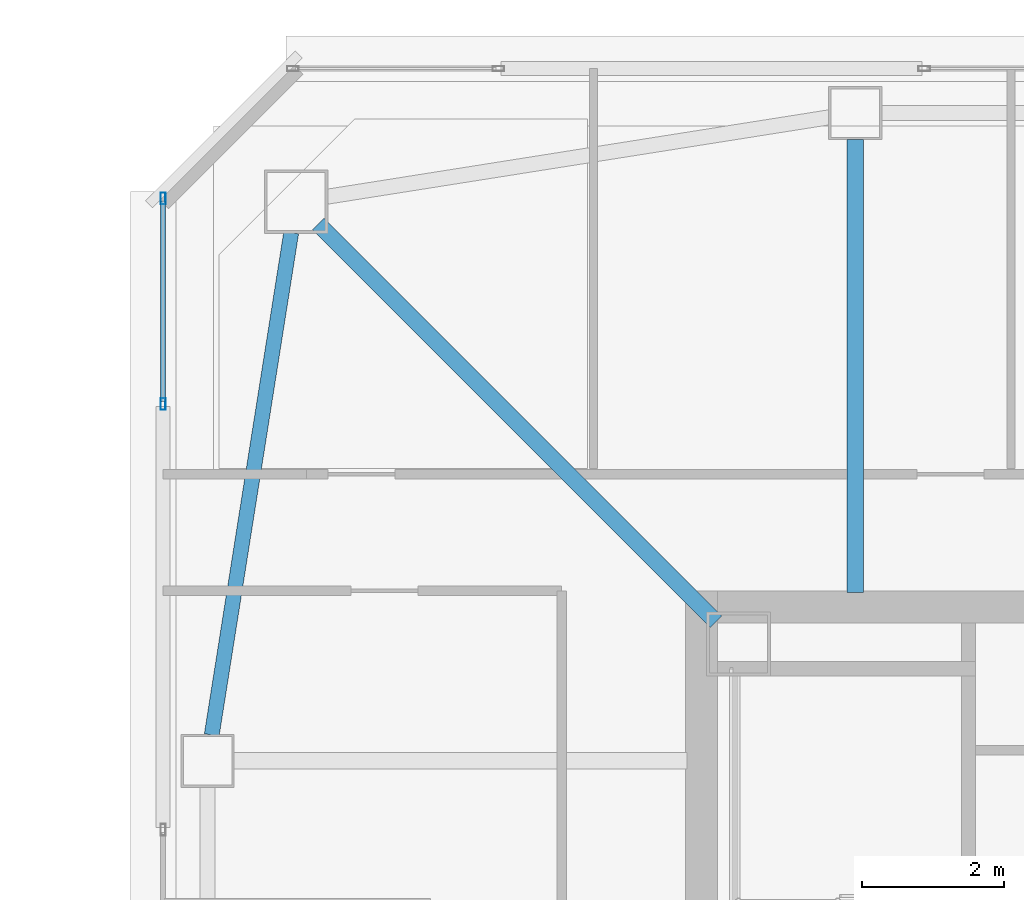
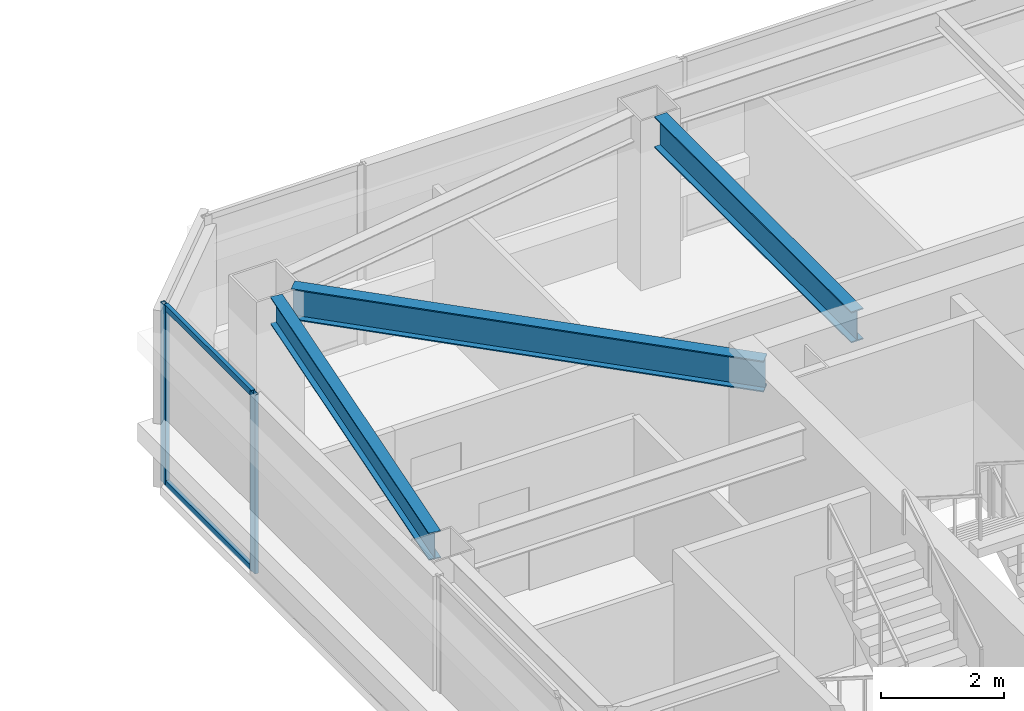
# One storey, part 4 of 31: 4 members, 3 beams, 1 element without a shape of its own.
"""IFC4 building model written with IfcOpenShell, lengths in metres."""

from ifc_helpers import new_model, si_unit, direction, frame, origin, origin_2d, place, context, subcontext, project, spatial, hollow_rectangle, i_section, extrude, material, material_profile, profile_set, type_object, element, aggregate, save


model = new_model("IFC4")

# Units and contexts
model_context = context("Model", 3, precision=1e-05, world=origin(), true_north=direction((0.0, 1.0)))
body_context = subcontext(model_context, "Body", "Model", "MODEL_VIEW")
ifc_project = project(units=[si_unit("LENGTHUNIT", "METRE"), si_unit("AREAUNIT", "SQUARE_METRE"), si_unit("VOLUMEUNIT", "CUBIC_METRE"), si_unit("PLANEANGLEUNIT", "RADIAN"), si_unit("MASSUNIT", "GRAM", prefix="KILO")], contexts=[model_context])

# Site, building, storey
site_placement = place(None, origin())
site = spatial("IfcSite", under=ifc_project, at=site_placement, CompositionType="ELEMENT")
building_placement = place(site_placement, origin())
building = spatial("IfcBuilding", under=site, at=building_placement, Name="Tashvorn Skyway Center", CompositionType="ELEMENT")
storey_placement = place(building_placement, frame((0.0, 0.0, 266.949951171875)))
storey = spatial("IfcBuildingStorey", under=building, at=storey_placement, Name="L72", CompositionType="ELEMENT", Elevation=266.949951171875)

# Beams
ifc_material_1 = material(Name="Steel ASTM A992 Grade 50", Category="steel")
ifc_material_profile_1 = material_profile(ifc_material_1, i_section(OverallWidth=0.22998046875, OverallDepth=0.616943359375, WebThickness=0.01318359375, FlangeThickness=0.022216796875, at=origin_2d()), Name="W24X94")
ifc_profile_set_1 = profile_set([ifc_material_profile_1], Name="Steel ASTM A992 Grade 50")
beam_type_1 = type_object("IfcBeamType", Name="BM-BEAM-W24X94", PredefinedType="BEAM", material=ifc_profile_set_1)
beam_1_placement = place(storey_placement, frame((29.0146484375, 44.9853515625, 3.0615234375), z_axis=(0.707106781187, -0.707106781187, 0.0), x_axis=(0.707106781187, 0.707106781187, 0.0)))
element("IfcBeam", 1, at=beam_1_placement, inside=storey, type_object=beam_type_1, Name="Tower 1 L72 Primary Floor Girder MC-NW", PredefinedType="BEAM", context=body_context, shape_type="SweptSolid", body=[
    extrude(i_section(OverallWidth=0.22998046875, OverallDepth=0.616943359375, WebThickness=0.01318359375, FlangeThickness=0.022216796875, at=origin_2d()), origin(), (0.0, 0.0, 1.0), 7.94873046875),
])
beam_2_placement = place(storey_placement, frame((36.60009765625, 46.179931640625, 3.0615234375), z_axis=(0.0, -1.0, 0.0), x_axis=(1.0, 0.0, 0.0)))
element("IfcBeam", 2, at=beam_2_placement, inside=storey, type_object=beam_type_1, Name="Tower 1 L72 Primary Floor Girder FC-N2", PredefinedType="BEAM", context=body_context, shape_type="SweptSolid", body=[
    extrude(i_section(OverallWidth=0.22998046875, OverallDepth=0.616943359375, WebThickness=0.01318359375, FlangeThickness=0.022216796875, at=origin_2d()), origin(), (0.0, 0.0, 1.0), 6.39990234375),
])
ifc_material_profile_2 = material_profile(ifc_material_1, i_section(OverallWidth=0.2109375, OverallDepth=0.5390625, WebThickness=0.01171875, FlangeThickness=0.018798828125, at=origin_2d()), Name="W21X73")
ifc_profile_set_2 = profile_set([ifc_material_profile_2], Name="Steel ASTM A992 Grade 50")
beam_type_2 = type_object("IfcBeamType", Name="BM-SPANDREL-W21X73", PredefinedType="SPANDREL", material=ifc_profile_set_2)
beam_3_placement = place(storey_placement, frame((28.63037109375, 44.8603515625, 3.1005859375), z_axis=(-0.156274976, -0.987713587978, 0.0), x_axis=(0.987713587978, -0.156274976, 0.0)))
element("IfcBeam", 3, at=beam_3_placement, inside=storey, type_object=beam_type_2, Name="Tower 1 L72 Spandrel Beam 10", PredefinedType="SPANDREL", context=body_context, shape_type="SweptSolid", body=[
    extrude(i_section(OverallWidth=0.2109375, OverallDepth=0.5390625, WebThickness=0.01171875, FlangeThickness=0.018798828125, at=origin_2d()), origin(), (0.0, 0.0, 1.0), 7.18310546875),
])

# Curtain wall, members
ifc_material_2 = material(Name="Thermally broken bronze-anodized aluminium 6063-T6", Category="aluminium")
curtain_wall_type = type_object("IfcCurtainWallType", Name="CW-CW-Z5", PredefinedType="NOTDEFINED", material=ifc_material_2)
curtain_wall_placement = place(storey_placement, origin())
curtain_wall = element("IfcCurtainWall", 4, at=curtain_wall_placement, inside=storey, type_object=curtain_wall_type, Name="Tower 1 L72 West Unitised Curtain Wall Glazing Group 3", PredefinedType="NOTDEFINED")
ifc_material_profile_3 = material_profile(ifc_material_2, hollow_rectangle(XDim=0.070068359375, YDim=0.1650390625, WallThickness=0.00390625, at=origin_2d()), Name="ALU-MULL-70x165")
ifc_profile_set_3 = profile_set([ifc_material_profile_3], Name="Thermally broken bronze-anodized aluminium 6063-T6")
member_type_1 = type_object("IfcMemberType", Name="CWM-CW-Z5", PredefinedType="MULLION", material=ifc_profile_set_3)
member_1_placement = place(storey_placement, frame((26.820068359375, 42.441650390625, 0.0), z_axis=(0.0, 0.0, 1.0), x_axis=(-1.0, 0.0, 0.0)))
member_1 = element("IfcMember", 5, at=member_1_placement, type_object=member_type_1, Name="CW-Z5 mullion 1", PredefinedType="MULLION", context=body_context, shape_type="SweptSolid", body=[
    extrude(hollow_rectangle(XDim=0.070068359375, YDim=0.1650390625, WallThickness=0.00390625, at=origin_2d()), origin(), (0.0, 0.0, 1.0), 3.550048828125),
])
member_2_placement = place(storey_placement, frame((26.820068359375, 45.344970703125, 0.0), z_axis=(0.0, 0.0, 1.0), x_axis=(-1.0, 0.0, 0.0)))
member_2 = element("IfcMember", 6, at=member_2_placement, type_object=member_type_1, Name="CW-Z5 mullion 2", PredefinedType="MULLION", context=body_context, shape_type="SweptSolid", body=[
    extrude(hollow_rectangle(XDim=0.070068359375, YDim=0.1650390625, WallThickness=0.00390625, at=origin_2d()), origin(), (0.0, 0.0, 1.0), 3.550048828125),
])
ifc_material_profile_4 = material_profile(ifc_material_2, hollow_rectangle(XDim=0.070068359375, YDim=0.114990234375, WallThickness=0.00390625, at=origin_2d()), Name="ALU-TRAN-70x115")
ifc_profile_set_4 = profile_set([ifc_material_profile_4], Name="Thermally broken bronze-anodized aluminium 6063-T6")
member_type_2 = type_object("IfcMemberType", Name="CWT-CW-Z5", PredefinedType="USERDEFINED", material=ifc_profile_set_4)
member_3_placement = place(storey_placement, frame((26.820068359375, 42.476806640625, 0.03515625), z_axis=(0.0, 1.0, 0.0), x_axis=(-1.0, 0.0, 0.0)))
member_3 = element("IfcMember", 7, at=member_3_placement, type_object=member_type_2, Name="CW-Z5 transom 1.1", ObjectType="TRANSOM", PredefinedType="USERDEFINED", context=body_context, shape_type="SweptSolid", body=[
    extrude(hollow_rectangle(XDim=0.070068359375, YDim=0.114990234375, WallThickness=0.00390625, at=origin_2d()), origin(), (0.0, 0.0, 1.0), 2.833251953125),
])
member_4_placement = place(storey_placement, frame((26.820068359375, 42.476806640625, 3.51513671875), z_axis=(0.0, 1.0, 0.0), x_axis=(-1.0, 0.0, 0.0)))
member_4 = element("IfcMember", 8, at=member_4_placement, type_object=member_type_2, Name="CW-Z5 transom 1.2", ObjectType="TRANSOM", PredefinedType="USERDEFINED", context=body_context, shape_type="SweptSolid", body=[
    extrude(hollow_rectangle(XDim=0.070068359375, YDim=0.114990234375, WallThickness=0.00390625, at=origin_2d()), origin(), (0.0, 0.0, 1.0), 2.833251953125),
])
aggregate(curtain_wall, [member_1, member_2, member_3, member_4])

save(model, "model.ifc")
